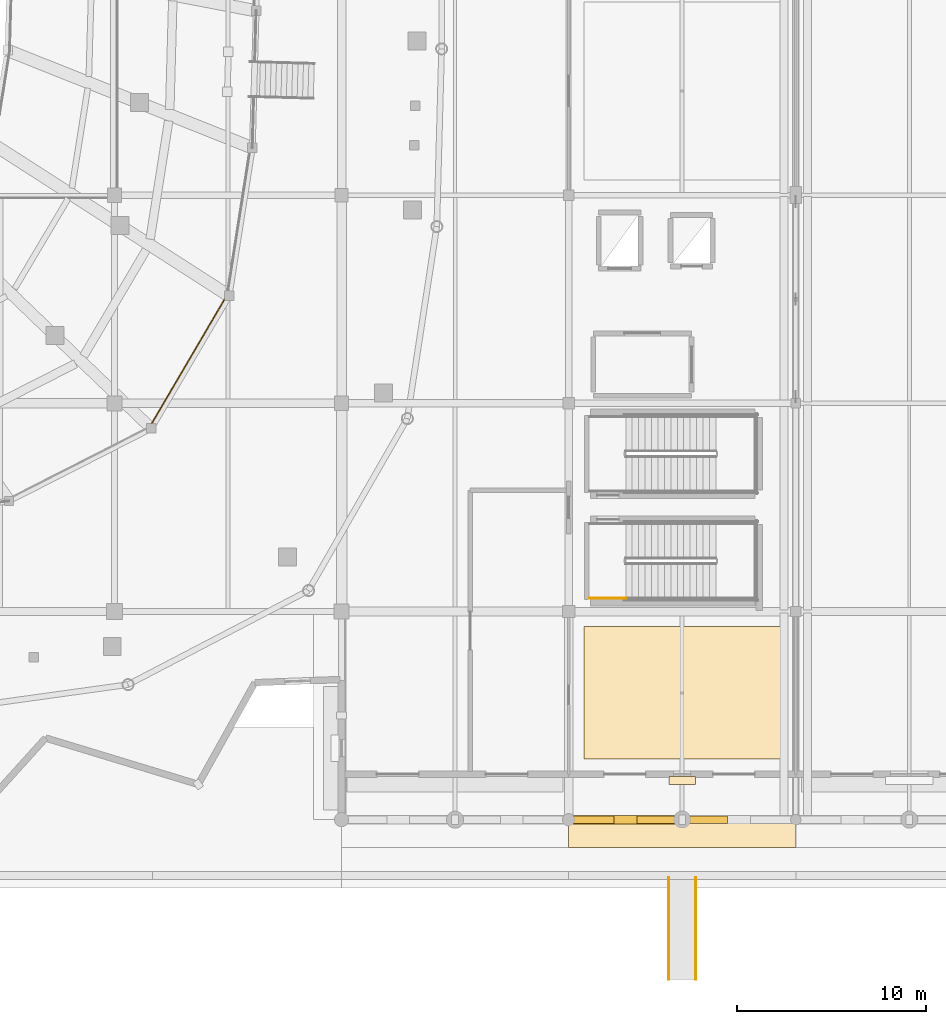
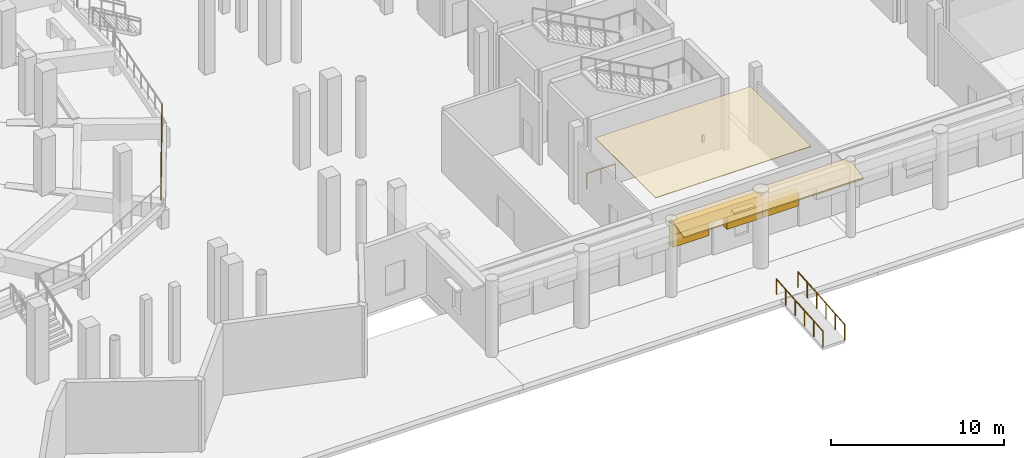
# One storey, part 108 of 120: 7 coverings, 4 railings.
"""IFC4 building model written with IfcOpenShell, lengths in metres."""

from ifc_helpers import new_model, si_unit, direction, frame, origin, origin_2d, place, context, subcontext, project, spatial, polyline, rectangle, circle, outline, extrude, material, layer, layer_set, type_object, element, save


model = new_model("IFC4")

# Units and contexts
model_context = context("Model", 3, precision=1e-05, world=origin(), true_north=direction((0.0, 1.0)))
body_context = subcontext(model_context, "Body", "Model", "MODEL_VIEW")
ifc_project = project(units=[si_unit("LENGTHUNIT", "METRE"), si_unit("AREAUNIT", "SQUARE_METRE"), si_unit("VOLUMEUNIT", "CUBIC_METRE"), si_unit("PLANEANGLEUNIT", "RADIAN"), si_unit("MASSUNIT", "GRAM", prefix="KILO")], contexts=[model_context])

# Site, building, storey
site_placement = place(None, origin())
site = spatial("IfcSite", under=ifc_project, at=site_placement, CompositionType="ELEMENT")
building_placement = place(site_placement, origin())
building = spatial("IfcBuilding", under=site, at=building_placement, Name="Luwafu Chhajja Arena", CompositionType="ELEMENT")
storey_placement = place(building_placement, origin())
storey = spatial("IfcBuildingStorey", under=building, at=storey_placement, Name="L00", CompositionType="ELEMENT", Elevation=0.0)

# Coverings
ifc_material_1 = material(Name="Red laterite sandstone cladding", Category="masonry")
ifc_layer_1 = layer(ifc_material_1, 0.074951171875, Name="Red laterite sandstone cladding")
ifc_layer_set_1 = layer_set([ifc_layer_1], Name="Red laterite sandstone cladding")
covering_type_1 = type_object("IfcCoveringType", Name="Dressed Red-Laterite Sandstone Cladding", PredefinedType="CLADDING", material=ifc_layer_set_1)
covering_1_placement = place(storey_placement, frame((155.0, 0.0, 4.33984375), z_axis=(0.0, 0.0, 1.0), x_axis=(1.0, 0.0, 0.0)))
element("IfcCovering", 1, at=covering_1_placement, inside=storey, type_object=covering_type_1, Name="L00 Mughal Riwaq Arcade Arch Frieze SLW-07", PredefinedType="CLADDING", context=body_context, shape_type="SweptSolid", body=[
    extrude(rectangle(XDim=6.0, YDim=0.43994140625, at=origin_2d()), origin(), (0.0, 0.0, 1.0), 0.719970703125),
])
for number, where, z_axis, x_axis, name in (
    (2, (153.199951171875, 0.0, 3.43994140625), (0.0, 0.0, 1.0), (1.0, 0.0, 0.0), "L00 Mughal Riwaq Corbelled Arch Haunch SLW-07A"),
    (3, (156.800048828125, 0.0, 3.43994140625), (0.0, 0.0, 1.0), (1.0, 0.0, 0.0), "L00 Mughal Riwaq Corbelled Arch Haunch SLW-07B"),
    (4, (159.199951171875, 0.0, 3.43994140625), (0.0, 0.0, 1.0), (1.0, 0.0, 0.0), "L00 Mughal Riwaq Corbelled Arch Haunch SLW-08A"),
):
    element("IfcCovering", number, at=place(storey_placement, frame(where, z_axis=z_axis, x_axis=x_axis)), inside=storey, type_object=covering_type_1, Name=name, PredefinedType="CLADDING", context=body_context, shape_type="SweptSolid", body=[
        extrude(rectangle(XDim=2.39990234375, YDim=0.39990234375, at=origin_2d()), origin(), (0.0, 0.0, 1.0), 0.9599609375),
    ])
covering_2_placement = place(storey_placement, frame((152.0, 0.199951171875, 5.360107421875), z_axis=(0.0, -0.242635142566, 0.970117615339), x_axis=(1.0, 0.0, 0.0)))
element("IfcCovering", 5, at=covering_2_placement, inside=storey, type_object=covering_type_1, Name="L00 Continuous Sloped Sandstone Chhajja Eave 0040", PredefinedType="CLADDING", context=body_context, shape_type="SweptSolid", body=[
    extrude(outline(polyline([(0.0, 0.0), (12.0, 0.0), (12.0, -1.7316783182390405), (0.0, -1.7316783182390405), (0.0, 0.0)])), origin(), (0.0, 0.0, -1.0), 0.1298828125),
])
covering_3_placement = place(storey_placement, frame((158.0, 2.06005859375, 2.6298828125), z_axis=(0.0, 0.0, 1.0), x_axis=(1.0, 0.0, 0.0)))
element("IfcCovering", 6, at=covering_3_placement, inside=storey, type_object=covering_type_1, Name="L00 Mughal Sandstone Window Chhajja Hood 0167", PredefinedType="CLADDING", context=body_context, shape_type="SweptSolid", body=[
    extrude(rectangle(XDim=1.39990234375, YDim=0.419921875, at=origin_2d()), origin(), (0.0, 0.0, 1.0), 0.139892578125),
])
ifc_material_2 = material(Name="Acoustic gypsum ceiling board")
ifc_layer_2 = layer(ifc_material_2, 0.0400390625, Name="Acoustic gypsum ceiling board")
ifc_layer_set_2 = layer_set([ifc_layer_2], Name="Acoustic gypsum ceiling board")
covering_type_2 = type_object("IfcCoveringType", Name="Perforated Acoustic Baffle Ceiling", PredefinedType="CEILING", material=ifc_layer_set_2)
covering_4_placement = place(storey_placement, frame((0.0, 0.0, 4.575927734375)))
element("IfcCovering", 7, at=covering_4_placement, inside=storey, type_object=covering_type_2, Name="L00 Acoustic Baffle Ceiling 013", PredefinedType="CEILING", context=body_context, shape_type="SweptSolid", body=[
    extrude(outline(polyline([(152.800048828125, 3.199951171875), (163.199951171875, 3.199951171875), (163.199951171875, 10.199951171875), (152.800048828125, 10.199951171875), (152.800048828125, 3.199951171875)])), origin(), (0.0, 0.0, 1.0), 0.0400390625),
])

# Railings
ifc_material_3 = material(Name="Stainless steel balustrade", Category="steel")
railing_type_1 = type_object("IfcRailingType", Name="Seating Bowl Sightline Barrier 1100", PredefinedType="BALUSTRADE", material=ifc_material_3)
railing_1_placement = place(storey_placement, frame((129.8623046875, 20.75732421875, 1.85009765625)))
element("IfcRailing", 8, at=railing_1_placement, inside=storey, type_object=railing_type_1, Name="L00 Lower Tier Rear Barrier 0148", PredefinedType="BALUSTRADE", context=body_context, shape_type="SweptSolid", body=[
    extrude(circle(Radius=0.02392578125, at=origin_2d()), frame((0.0, 0.0, 1.09619140625), z_axis=(0.506615704922, 0.862171982569, 0.0), x_axis=(-0.862171982569, 0.506615704922, 0.0)), (0.0, 0.0, 1.0), 8.100341796875),
    extrude(circle(Radius=0.02099609375, at=origin_2d()), origin(), (0.0, 0.0, 1.0), 1.072021484375),
    extrude(circle(Radius=0.02099609375, at=origin_2d()), frame((0.586181640625, 0.997802734375, 0.0)), (0.0, 0.0, 1.0), 1.072021484375),
    extrude(circle(Radius=0.02099609375, at=origin_2d()), frame((1.172607421875, 1.995361328125, 0.0)), (0.0, 0.0, 1.0), 1.072021484375),
    extrude(circle(Radius=0.02099609375, at=origin_2d()), frame((1.7587890625, 2.9931640625, 0.0)), (0.0, 0.0, 1.0), 1.072021484375),
    extrude(circle(Radius=0.02099609375, at=origin_2d()), frame((2.344970703125, 3.99072265625, 0.0)), (0.0, 0.0, 1.0), 1.072021484375),
    extrude(circle(Radius=0.02099609375, at=origin_2d()), frame((2.93115234375, 4.988525390625, 0.0)), (0.0, 0.0, 1.0), 1.072021484375),
    extrude(circle(Radius=0.02099609375, at=origin_2d()), frame((3.517578125, 5.986083984375, 0.0)), (0.0, 0.0, 1.0), 1.072021484375),
    extrude(circle(Radius=0.02099609375, at=origin_2d()), frame((4.103759765625, 6.98388671875, 0.0)), (0.0, 0.0, 1.0), 1.072021484375),
])
railing_type_2 = type_object("IfcRailingType", Name="Stair and Terrace Guard Balustrade 1100", PredefinedType="BALUSTRADE", material=ifc_material_3)
railing_2_placement = place(storey_placement, frame((153.10009765625, 11.699951171875, 0.0)))
element("IfcRailing", 9, at=railing_2_placement, inside=storey, type_object=railing_type_2, Name="L00 ST-03 stair guard 8", PredefinedType="BALUSTRADE", context=body_context, shape_type="SweptSolid", body=[
    extrude(circle(Radius=0.02392578125, at=origin_2d()), frame((0.0, 0.0, 1.076171875), z_axis=(1.0, 0.0, 0.0), x_axis=(0.0, 1.0, 0.0)), (0.0, 0.0, 1.0), 1.919921875),
    extrude(circle(Radius=0.02099609375, at=origin_2d()), origin(), (0.0, 0.0, 1.0), 1.052001953125),
    extrude(circle(Radius=0.02099609375, at=origin_2d()), frame((0.9599609375, 0.0, 0.0)), (0.0, 0.0, 1.0), 1.052001953125),
    extrude(circle(Radius=0.02099609375, at=origin_2d()), frame((1.919921875, 0.0, 0.0)), (0.0, 0.0, 1.0), 1.052001953125),
])
for number, where, name in (
    (10, (157.280029296875, -8.449951171875, -0.449951171875), "Ramp RA-03 Guard L"),
    (11, (158.719970703125, -8.449951171875, -0.449951171875), "Ramp RA-03 Guard R"),
):
    element("IfcRailing", number, at=place(storey_placement, frame(where)), inside=storey, type_object=railing_type_2, Name=name, PredefinedType="BALUSTRADE", context=body_context, shape_type="SweptSolid", body=[
        extrude(circle(Radius=0.02392578125, at=origin_2d()), frame((0.0, 0.0, 1.09619140625), z_axis=(0.0, 0.996546379678, 0.083038022323), x_axis=(-1.0, 0.0, 0.0)), (0.0, 0.0, 1.0), 5.418701171875),
        extrude(circle(Radius=0.02099609375, at=origin_2d()), origin(), (0.0, 0.0, 1.0), 1.072021484375),
        extrude(circle(Radius=0.02099609375, at=origin_2d()), frame((0.0, 1.080078125, 0.090087890625)), (0.0, 0.0, 1.0), 1.072021484375),
        extrude(circle(Radius=0.02099609375, at=origin_2d()), frame((0.0, 2.159912109375, 0.179931640625)), (0.0, 0.0, 1.0), 1.072021484375),
        extrude(circle(Radius=0.02099609375, at=origin_2d()), frame((0.0, 3.239990234375, 0.27001953125)), (0.0, 0.0, 1.0), 1.072021484375),
        extrude(circle(Radius=0.02099609375, at=origin_2d()), frame((0.0, 4.31982421875, 0.35986328125)), (0.0, 0.0, 1.0), 1.072021484375),
        extrude(circle(Radius=0.02099609375, at=origin_2d()), frame((0.0, 5.39990234375, 0.449951171875)), (0.0, 0.0, 1.0), 1.072021484375),
    ])

save(model, "model.ifc")
